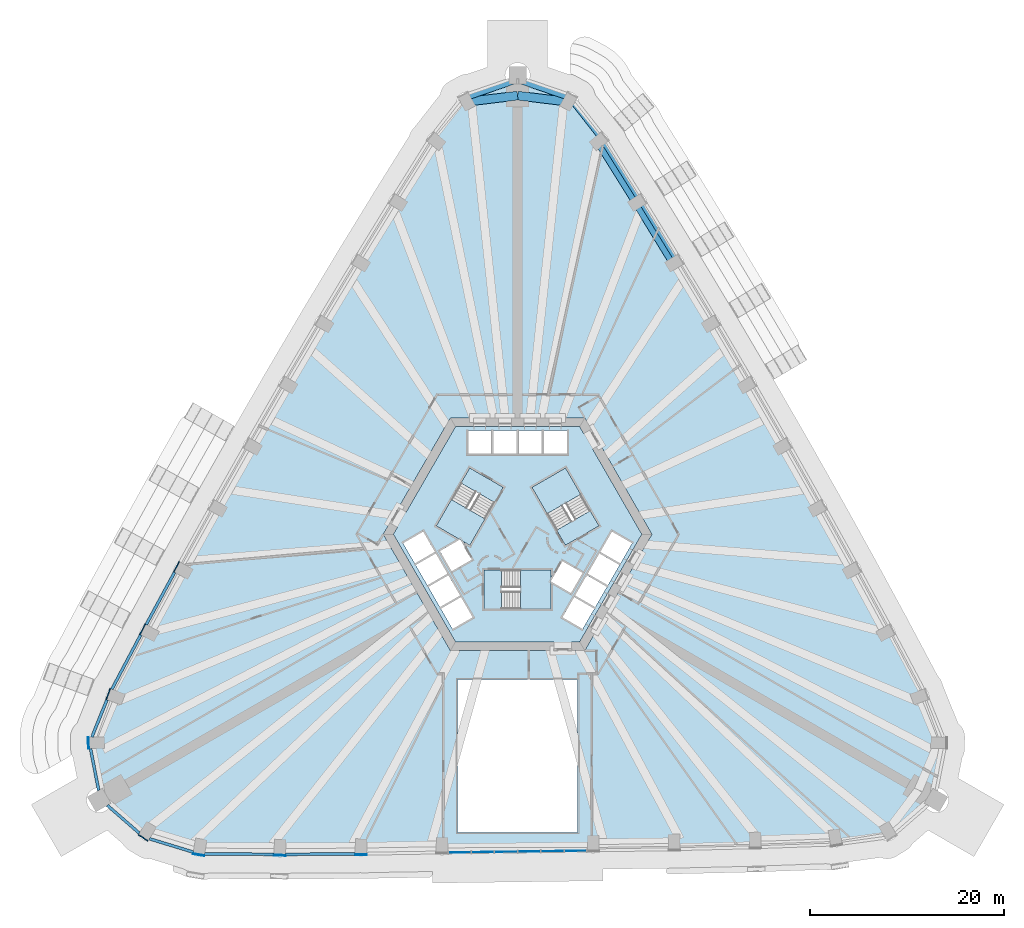
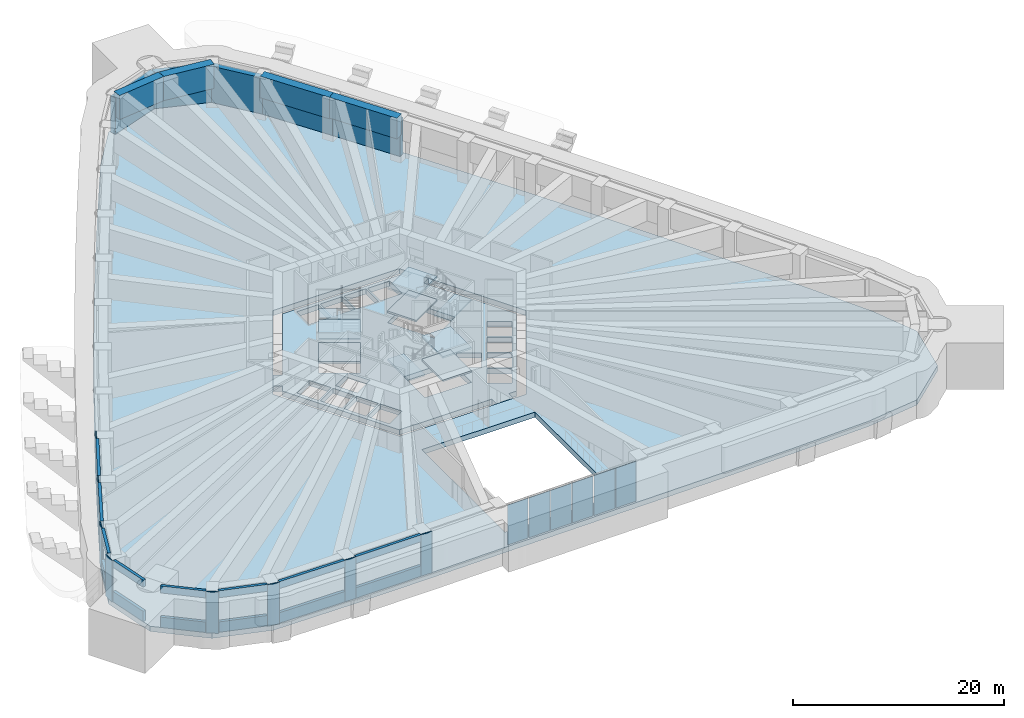
# One storey, part 4 of 21: 24 walls, 11 slabs, 6 plates, 5 members, 4 beams, 4 elements without a shape of their own.
"""IFC4 building model written with IfcOpenShell, lengths in metres."""

from ifc_helpers import new_model, si_unit, direction, frame, frame_2d, origin, origin_2d, place, context, subcontext, project, spatial, polyline, rectangle, outline, extrude, material, layer, layer_set, material_profile, profile_set, type_object, element, aggregate, save


model = new_model("IFC4")

# Units and contexts
model_context = context("Model", 3, precision=1e-05, world=origin(), true_north=direction((0.0, 1.0)))
body_context = subcontext(model_context, "Body", "Model", "MODEL_VIEW")
ifc_project = project(units=[si_unit("LENGTHUNIT", "METRE"), si_unit("AREAUNIT", "SQUARE_METRE"), si_unit("VOLUMEUNIT", "CUBIC_METRE"), si_unit("PLANEANGLEUNIT", "RADIAN"), si_unit("MASSUNIT", "GRAM", prefix="KILO")], contexts=[model_context])

# Site, building, storey
site_placement = place(None, origin())
site = spatial("IfcSite", under=ifc_project, at=site_placement, CompositionType="ELEMENT")
building_placement = place(site_placement, origin())
building = spatial("IfcBuilding", under=site, at=building_placement, Name="Entoto Arch Interchange Tower", CompositionType="ELEMENT")
storey_placement = place(building_placement, frame((0.0, 0.0, 81.199951171875)))
storey = spatial("IfcBuildingStorey", under=building, at=storey_placement, Name="L17", CompositionType="ELEMENT", Elevation=81.199951171875)

# Members
ifc_material_1 = material(Name="Concrete C60/75", Category="concrete")
ifc_material_profile_1 = material_profile(ifc_material_1, rectangle(XDim=0.60009765625, YDim=4.199951171875, at=origin_2d()))
ifc_profile_set_1 = profile_set([ifc_material_profile_1], Name="Concrete C60/75")
member_type = type_object("IfcMemberType", Name="Belt member RC 600x4200 C60/75", PredefinedType="USERDEFINED", material=ifc_profile_set_1)
member_1_placement = place(storey_placement, frame((16.51806640625, 30.695068359375, 2.10009765625), z_axis=(-0.522699488876, 0.852517005302, 0.0), x_axis=(-0.852517005302, -0.522699488876, 0.0)))
element("IfcMember", 1, at=member_1_placement, inside=storey, type_object=member_type, Name="Belt beam 19 L17", ObjectType="BELT BEAM", PredefinedType="USERDEFINED", context=body_context, shape_type="SweptSolid", body=[
    extrude(rectangle(XDim=0.60009765625, YDim=4.199951171875, at=origin_2d()), origin(), (0.0, 0.0, 1.0), 7.331298828125),
])
member_2_placement = place(storey_placement, frame((12.68603515625, 36.945068359375, 2.10009765625), z_axis=(-0.530519709105, 0.847672600861, 0.0), x_axis=(-0.847672600861, -0.530519709105, 0.0)))
element("IfcMember", 2, at=member_2_placement, inside=storey, type_object=member_type, Name="Belt beam 20 L17", ObjectType="BELT BEAM", PredefinedType="USERDEFINED", context=body_context, shape_type="SweptSolid", body=[
    extrude(rectangle(XDim=0.60009765625, YDim=4.199951171875, at=origin_2d()), origin(), (0.0, 0.0, 1.0), 7.54150390625),
])
member_3_placement = place(storey_placement, frame((8.68505859375, 43.337890625, 2.10009765625), z_axis=(-0.616408582391, 0.787426478825, 0.0), x_axis=(-0.787426478825, -0.616408582391, 0.0)))
element("IfcMember", 3, at=member_3_placement, inside=storey, type_object=member_type, Name="Belt beam 21 L17", ObjectType="BELT BEAM", PredefinedType="USERDEFINED", context=body_context, shape_type="SweptSolid", body=[
    extrude(rectangle(XDim=0.60009765625, YDim=4.199951171875, at=origin_2d()), origin(), (0.0, 0.0, 1.0), 5.31494140625),
])
for number, where, z_axis, x_axis, name in (
    (4, (5.408935546875, 47.52294921875, 2.10009765625), (-0.945749327237, 0.324897229953, 0.0), (-0.324897229953, -0.945749327237, 0.0), "Belt beam 22 L17"),
    (5, (0.0, 49.381103515625, 2.10009765625), (-0.945749327237, -0.324897229953, 0.0), (0.324897229953, -0.945749327237, 0.0), "Belt beam 23 L17"),
):
    element("IfcMember", number, at=place(storey_placement, frame(where, z_axis=z_axis, x_axis=x_axis)), inside=storey, type_object=member_type, Name=name, ObjectType="BELT BEAM", PredefinedType="USERDEFINED", context=body_context, shape_type="SweptSolid", body=[
        extrude(rectangle(XDim=0.60009765625, YDim=4.199951171875, at=origin_2d()), origin(), (0.0, 0.0, 1.0), 5.71923828125),
    ])

# Beams
ifc_material_profile_2 = material_profile(ifc_material_1, rectangle(XDim=0.89990234375, YDim=2.39990234375, at=origin_2d()))
ifc_profile_set_2 = profile_set([ifc_material_profile_2], Name="Concrete C60/75")
beam_type_1 = type_object("IfcBeamType", Name="Transfer beam RC 900x2400 C60/75", PredefinedType="BEAM", material=ifc_profile_set_2)
beam_1_placement = place(storey_placement, frame((16.1298828125, 30.45703125, 3.60009765625), z_axis=(-0.522696476147, 0.852518852474, 0.0), x_axis=(-0.852518852474, -0.522696476147, 0.0)))
element("IfcBeam", 6, at=beam_1_placement, inside=storey, type_object=beam_type_1, Name="Transfer girder NE08 L17", PredefinedType="BEAM", context=body_context, shape_type="SweptSolid", body=[
    extrude(rectangle(XDim=0.89990234375, YDim=2.39990234375, at=origin_2d()), origin(), (0.0, 0.0, 1.0), 7.3251953125),
])
ifc_material_profile_3 = material_profile(ifc_material_1, rectangle(XDim=0.89990234375, YDim=2.5, at=origin_2d()))
ifc_profile_set_3 = profile_set([ifc_material_profile_3], Name="Concrete C60/75")
beam_type_2 = type_object("IfcBeamType", Name="Transfer beam RC 900x2500 C60/75", PredefinedType="BEAM", material=ifc_profile_set_3)
beam_2_placement = place(storey_placement, frame((12.301025390625, 36.701904296875, 3.550048828125), z_axis=(-0.529542169184, 0.848283614752, 0.0), x_axis=(-0.848283614752, -0.529542169184, 0.0)))
element("IfcBeam", 7, at=beam_2_placement, inside=storey, type_object=beam_type_2, Name="Transfer girder NE09 L17", PredefinedType="BEAM", context=body_context, shape_type="SweptSolid", body=[
    extrude(rectangle(XDim=0.89990234375, YDim=2.5, at=origin_2d()), origin(), (0.0, 0.0, 1.0), 7.447998046875),
])
ifc_material_profile_4 = material_profile(ifc_material_1, rectangle(XDim=0.89990234375, YDim=2.800048828125, at=origin_2d()))
ifc_profile_set_4 = profile_set([ifc_material_profile_4], Name="Concrete C60/75")
beam_type_3 = type_object("IfcBeamType", Name="Transfer beam RC 900x2800 C60/75", PredefinedType="BEAM", material=ifc_profile_set_4)
for number, where, z_axis, x_axis, name in (
    (8, (5.24609375, 47.112060546875, 3.400146484375), (-0.992643034077, 0.121077689516, 0.0), (-0.121077689516, -0.992643034077, 0.0), "Transfer girder N1 L17"),
    (9, (0.0, 47.751953125, 3.400146484375), (-0.992643034077, -0.121077689516, 0.0), (0.121077689516, -0.992643034077, 0.0), "Transfer girder N3 L17"),
):
    element("IfcBeam", number, at=place(storey_placement, frame(where, z_axis=z_axis, x_axis=x_axis)), inside=storey, type_object=beam_type_3, Name=name, PredefinedType="BEAM", context=body_context, shape_type="SweptSolid", body=[
        extrude(rectangle(XDim=0.89990234375, YDim=2.800048828125, at=origin_2d()), origin(), (0.0, 0.0, 1.0), 5.284912109375),
    ])

# Slab
ifc_material_2 = material(Name="Concrete C40/50", Category="concrete")
ifc_layer_1 = layer(ifc_material_2, 0.60009765625)
ifc_layer_set_1 = layer_set([ifc_layer_1], Name="Concrete C40/50")
slab_type_1 = type_object("IfcSlabType", Name="Core floor slab 600 C40/50", PredefinedType="FLOOR", material=ifc_layer_set_1)
slab_1_placement = place(storey_placement, frame((0.0, 0.0, -0.599853515625)))
element("IfcSlab", 10, at=slab_1_placement, inside=storey, type_object=slab_type_1, Name="Core floor slab L17", PredefinedType="FLOOR", context=body_context, shape_type="SweptSolid", body=[
    extrude(outline(polyline([(5.580078125, -9.5), (3.75, -9.5), (3.75, -8.60009765625), (-6.408935546875, -8.60009765625), (-12.81689453125, 2.5), (-12.403076171875, 3.217041015625), (-13.181884765625, 3.66796875), (-12.26806640625, 5.251953125), (-11.488037109375, 4.802001953125), (-6.408935546875, 13.60009765625), (6.408935546875, 13.60009765625), (6.822998046875, 12.882080078125), (7.60302734375, 13.33203125), (8.51806640625, 11.748046875), (7.738037109375, 11.298095703125), (12.81689453125, 2.5), (6.408935546875, -8.60009765625), (5.580078125, -8.60009765625), (5.580078125, -9.5)]), holes=[polyline([(-4.637939453125, -6.06689453125), (-5.837890625, -3.988037109375), (-7.916015625, -5.18798828125), (-6.716064453125, -7.26708984375), (-4.637939453125, -6.06689453125)]), polyline([(-5.93798828125, -3.81494140625), (-7.137939453125, -1.737060546875), (-9.216064453125, -2.93701171875), (-8.01611328125, -5.014892578125), (-5.93798828125, -3.81494140625)]), polyline([(5.5048828125, -3.56494140625), (6.705078125, -1.487060546875), (4.626953125, -0.287109375), (3.449951171875, -2.324951171875), (3.449951171875, -1.199951171875), (-1.64990234375, -1.199951171875), (-1.64990234375, -5.199951171875), (3.449951171875, -5.199951171875), (3.449951171875, -2.3779296875), (5.5048828125, -3.56494140625)]), polyline([(-7.238037109375, -1.56298828125), (-8.43798828125, 0.514892578125), (-10.51611328125, -0.68505859375), (-9.31591796875, -2.762939453125), (-7.238037109375, -1.56298828125)]), polyline([(-4.72705078125, -0.113037109375), (-5.904052734375, 1.925048828125), (-4.928955078125, 1.362060546875), (-2.37890625, 5.779052734375), (-5.843017578125, 7.779052734375), (-8.39306640625, 3.362060546875), (-5.949951171875, 1.951904296875), (-8.0048828125, 0.764892578125), (-6.804931640625, -1.31298828125), (-4.72705078125, -0.113037109375)]), polyline([(-8.5380859375, 0.68798828125), (-9.738037109375, 2.76708984375), (-11.81591796875, 1.56689453125), (-10.615966796875, -0.511962890625), (-8.5380859375, 0.68798828125)]), polyline([(-5.10009765625, 10.800048828125), (-2.699951171875, 10.800048828125), (-2.699951171875, 13.199951171875), (-5.10009765625, 13.199951171875), (-5.10009765625, 10.800048828125)]), polyline([(-2.5, 10.800048828125), (-0.10009765625, 10.800048828125), (-0.10009765625, 13.199951171875), (-2.5, 13.199951171875), (-2.5, 10.800048828125)]), polyline([(5.837890625, -3.988037109375), (4.637939453125, -6.06689453125), (6.716064453125, -7.26708984375), (7.916015625, -5.18798828125), (5.837890625, -3.988037109375)]), polyline([(7.137939453125, -1.737060546875), (5.93798828125, -3.81494140625), (8.01611328125, -5.014892578125), (9.216064453125, -2.93701171875), (7.137939453125, -1.737060546875)]), polyline([(8.43798828125, 0.514892578125), (7.238037109375, -1.56298828125), (9.31591796875, -2.762939453125), (10.51611328125, -0.68505859375), (8.43798828125, 0.514892578125)]), polyline([(9.738037109375, 2.76708984375), (8.5380859375, 0.68798828125), (10.615966796875, -0.511962890625), (11.81591796875, 1.56689453125), (9.738037109375, 2.76708984375)]), polyline([(4.029052734375, 2.9208984375), (7.492919921875, 4.9208984375), (4.943115234375, 9.337890625), (1.47900390625, 7.337890625), (4.029052734375, 2.9208984375)]), polyline([(0.10009765625, 13.199951171875), (0.10009765625, 10.800048828125), (2.5, 10.800048828125), (2.5, 13.199951171875), (0.10009765625, 13.199951171875)]), polyline([(2.699951171875, 13.199951171875), (2.699951171875, 10.800048828125), (5.10009765625, 10.800048828125), (5.10009765625, 13.199951171875), (2.699951171875, 13.199951171875)])]), origin(), (0.0, 0.0, 1.0), 0.599853515625),
])

# Stair, slabs
stair_type = type_object("IfcStairType", Name="EXIT STAIR RC 1800", PredefinedType="HALF_TURN_STAIR", material=ifc_material_2)
stair_1_placement = place(storey_placement, origin())
stair_1 = element("IfcStair", 11, at=stair_1_placement, inside=storey, type_object=stair_type, Name="L17 Exit stair S", PredefinedType="HALF_TURN_STAIR")
ifc_layer_2 = layer(ifc_material_2, 0.199951171875)
ifc_layer_set_2 = layer_set([ifc_layer_2], Name="Concrete C40/50")
slab_type_2 = type_object("IfcSlabType", Name="EXIT STAIR LANDING RC 200", PredefinedType="LANDING", material=ifc_layer_set_2)
slab_2_placement = place(storey_placement, frame((0.0, 0.0, 1.150146484375)))
slab_2 = element("IfcSlab", 12, at=slab_2_placement, type_object=slab_type_2, Name="ST-S landing 1", PredefinedType="LANDING", context=body_context, shape_type="SweptSolid", body=[
    extrude(outline(polyline([(0.31005859375, -5.199951171875), (3.449951171875, -5.199951171875), (3.449951171875, -1.199951171875), (0.31005859375, -1.199951171875), (0.31005859375, -5.199951171875)])), origin(), (0.0, 0.0, 1.0), 0.199951171875),
])
slab_3_placement = place(storey_placement, frame((0.0, 0.0, 2.5)))
slab_3 = element("IfcSlab", 13, at=slab_3_placement, type_object=slab_type_2, Name="ST-S landing 2", PredefinedType="LANDING", context=body_context, shape_type="SweptSolid", body=[
    extrude(outline(polyline([(-3.449951171875, -5.199951171875), (-1.64990234375, -5.199951171875), (-1.64990234375, -1.199951171875), (-3.449951171875, -1.199951171875), (-3.449951171875, -5.199951171875)])), origin(), (0.0, 0.0, 1.0), 0.199951171875),
])
slab_4_placement = place(storey_placement, frame((0.0, 0.0, 3.85009765625)))
slab_4 = element("IfcSlab", 14, at=slab_4_placement, type_object=slab_type_2, Name="ST-S landing 3", PredefinedType="LANDING", context=body_context, shape_type="SweptSolid", body=[
    extrude(outline(polyline([(0.31005859375, -5.199951171875), (3.449951171875, -5.199951171875), (3.449951171875, -1.199951171875), (0.31005859375, -1.199951171875), (0.31005859375, -5.199951171875)])), origin(), (0.0, 0.0, 1.0), 0.199951171875),
])
aggregate(stair_1, [slab_2, slab_3, slab_4])

stair_2_placement = place(storey_placement, origin())
stair_2 = element("IfcStair", 15, at=stair_2_placement, inside=storey, type_object=stair_type, Name="L17 Exit stair NE", PredefinedType="HALF_TURN_STAIR")
slab_5_placement = place(storey_placement, frame((0.0, 0.0, 1.150146484375)))
slab_5 = element("IfcSlab", 16, at=slab_5_placement, type_object=slab_type_2, Name="ST-NE landing 1", PredefinedType="LANDING", context=body_context, shape_type="SweptSolid", body=[
    extrude(outline(polyline([(6.513427734375, 6.618408203125), (4.943359375, 9.337890625), (1.479248046875, 7.337890625), (3.04931640625, 4.618408203125), (6.513427734375, 6.618408203125)])), origin(), (0.0, 0.0, 1.0), 0.199951171875),
])
slab_6_placement = place(storey_placement, frame((0.0, 0.0, 2.5)))
slab_6 = element("IfcSlab", 17, at=slab_6_placement, type_object=slab_type_2, Name="ST-NE landing 2", PredefinedType="LANDING", context=body_context, shape_type="SweptSolid", body=[
    extrude(outline(polyline([(8.393310546875, 3.3623046875), (7.493408203125, 4.921142578125), (4.029296875, 2.921142578125), (4.92919921875, 1.3623046875), (8.393310546875, 3.3623046875)])), origin(), (0.0, 0.0, 1.0), 0.199951171875),
])
slab_7_placement = place(storey_placement, frame((0.0, 0.0, 3.85009765625)))
slab_7 = element("IfcSlab", 18, at=slab_7_placement, type_object=slab_type_2, Name="ST-NE landing 3", PredefinedType="LANDING", context=body_context, shape_type="SweptSolid", body=[
    extrude(outline(polyline([(6.513427734375, 6.618408203125), (4.943359375, 9.337890625), (1.479248046875, 7.337890625), (3.04931640625, 4.618408203125), (6.513427734375, 6.618408203125)])), origin(), (0.0, 0.0, 1.0), 0.199951171875),
])
aggregate(stair_2, [slab_5, slab_6, slab_7])

stair_3_placement = place(storey_placement, origin())
stair_3 = element("IfcStair", 19, at=stair_3_placement, inside=storey, type_object=stair_type, Name="L17 Exit stair NW", PredefinedType="HALF_TURN_STAIR")
slab_8_placement = place(storey_placement, frame((0.0, 0.0, 1.150146484375)))
slab_8 = element("IfcSlab", 20, at=slab_8_placement, type_object=slab_type_2, Name="ST-NW landing 1", PredefinedType="LANDING", context=body_context, shape_type="SweptSolid", body=[
    extrude(outline(polyline([(-6.823486328125, 6.08154296875), (-8.393310546875, 3.3623046875), (-4.92919921875, 1.3623046875), (-3.359375, 4.08154296875), (-6.823486328125, 6.08154296875)])), origin(), (0.0, 0.0, 1.0), 0.199951171875),
])
slab_9_placement = place(storey_placement, frame((0.0, 0.0, 2.5)))
slab_9 = element("IfcSlab", 21, at=slab_9_placement, type_object=slab_type_2, Name="ST-NW landing 2", PredefinedType="LANDING", context=body_context, shape_type="SweptSolid", body=[
    extrude(outline(polyline([(-4.943359375, 9.337890625), (-5.843505859375, 7.779052734375), (-2.37939453125, 5.779052734375), (-1.479248046875, 7.337890625), (-4.943359375, 9.337890625)])), origin(), (0.0, 0.0, 1.0), 0.199951171875),
])
slab_10_placement = place(storey_placement, frame((0.0, 0.0, 3.85009765625)))
slab_10 = element("IfcSlab", 22, at=slab_10_placement, type_object=slab_type_2, Name="ST-NW landing 3", PredefinedType="LANDING", context=body_context, shape_type="SweptSolid", body=[
    extrude(outline(polyline([(-6.823486328125, 6.08154296875), (-8.393310546875, 3.3623046875), (-4.92919921875, 1.3623046875), (-3.359375, 4.08154296875), (-6.823486328125, 6.08154296875)])), origin(), (0.0, 0.0, 1.0), 0.199951171875),
])
aggregate(stair_3, [slab_8, slab_9, slab_10])

# Curtain wall, plates
ifc_material_3 = material(Name="Aluminium, anodised", Category="aluminium")
curtain_wall_type = type_object("IfcCurtainWallType", Name="CURTAIN WALL ATRIUM", PredefinedType="NOTDEFINED", material=ifc_material_3)
curtain_wall_placement = place(storey_placement, origin())
curtain_wall = element("IfcCurtainWall", 23, at=curtain_wall_placement, inside=storey, type_object=curtain_wall_type, Name="Atrium glazing S-04 L17", PredefinedType="NOTDEFINED")
ifc_material_4 = material(Name="Clear glass, low-e double glazed", Category="glass")
ifc_layer_3 = layer(ifc_material_4, 0.031982421875)
ifc_layer_set_3 = layer_set([ifc_layer_3], Name="Clear glass, low-e double glazed")
plate_type = type_object("IfcPlateType", Name="GLAZING PANEL ATRIUM 32", PredefinedType="CURTAIN_PANEL", material=ifc_layer_set_3)
plate_1_placement = place(storey_placement, frame((-5.973388671875, -30.323486328125, 0.080078125), z_axis=(0.0, 0.0, 1.0), x_axis=(0.999909211542, 0.013474742091, 0.0)))
plate_1 = element("IfcPlate", 24, at=plate_1_placement, type_object=plate_type, Name="CWA panel 1.1", PredefinedType="CURTAIN_PANEL", context=body_context, shape_type="SweptSolid", body=[
    extrude(rectangle(XDim=2.24951171875, YDim=0.031982421875, at=origin_2d()), origin(), (0.0, 0.0, 1.0), 4.639892578125),
])
plate_2_placement = place(storey_placement, frame((-3.59912109375, -30.29150390625, 0.080078125), z_axis=(0.0, 0.0, 1.0), x_axis=(0.999909211542, 0.013474742091, 0.0)))
plate_2 = element("IfcPlate", 25, at=plate_2_placement, type_object=plate_type, Name="CWA panel 2.1", PredefinedType="CURTAIN_PANEL", context=body_context, shape_type="SweptSolid", body=[
    extrude(rectangle(XDim=2.299560546875, YDim=0.031982421875, at=origin_2d()), origin(), (0.0, 0.0, 1.0), 4.639892578125),
])
plate_3_placement = place(storey_placement, frame((-1.19970703125, -30.25927734375, 0.080078125), z_axis=(0.0, 0.0, 1.0), x_axis=(0.999909211542, 0.013474742091, 0.0)))
plate_3 = element("IfcPlate", 26, at=plate_3_placement, type_object=plate_type, Name="CWA panel 3.1", PredefinedType="CURTAIN_PANEL", context=body_context, shape_type="SweptSolid", body=[
    extrude(rectangle(XDim=2.299560546875, YDim=0.031982421875, at=origin_2d()), origin(), (0.0, 0.0, 1.0), 4.639892578125),
])
plate_4_placement = place(storey_placement, frame((1.19970703125, -30.226806640625, 0.080078125), z_axis=(0.0, 0.0, 1.0), x_axis=(0.999909211542, 0.013474742091, 0.0)))
plate_4 = element("IfcPlate", 27, at=plate_4_placement, type_object=plate_type, Name="CWA panel 4.1", PredefinedType="CURTAIN_PANEL", context=body_context, shape_type="SweptSolid", body=[
    extrude(rectangle(XDim=2.299560546875, YDim=0.031982421875, at=origin_2d()), origin(), (0.0, 0.0, 1.0), 4.639892578125),
])
plate_5_placement = place(storey_placement, frame((3.59912109375, -30.194580078125, 0.080078125), z_axis=(0.0, 0.0, 1.0), x_axis=(0.999909211542, 0.013474742091, 0.0)))
plate_5 = element("IfcPlate", 28, at=plate_5_placement, type_object=plate_type, Name="CWA panel 5.1", PredefinedType="CURTAIN_PANEL", context=body_context, shape_type="SweptSolid", body=[
    extrude(rectangle(XDim=2.299560546875, YDim=0.031982421875, at=origin_2d()), origin(), (0.0, 0.0, 1.0), 4.639892578125),
])
plate_6_placement = place(storey_placement, frame((5.973388671875, -30.16259765625, 0.080078125), z_axis=(0.0, 0.0, 1.0), x_axis=(0.999909211542, 0.013474742091, 0.0)))
plate_6 = element("IfcPlate", 29, at=plate_6_placement, type_object=plate_type, Name="CWA panel 6.1", PredefinedType="CURTAIN_PANEL", context=body_context, shape_type="SweptSolid", body=[
    extrude(rectangle(XDim=2.24951171875, YDim=0.031982421875, at=origin_2d()), origin(), (0.0, 0.0, 1.0), 4.639892578125),
])
aggregate(curtain_wall, [plate_1, plate_2, plate_3, plate_4, plate_5, plate_6])

# Slab
ifc_layer_4 = layer(ifc_material_2, 0.60009765625)
ifc_layer_set_4 = layer_set([ifc_layer_4], Name="Concrete C40/50")
slab_type_3 = type_object("IfcSlabType", Name="Transfer floor slab post-tensioned 600 C40/50", PredefinedType="FLOOR", material=ifc_layer_set_4)
slab_11_placement = place(storey_placement, frame((0.0, 0.0, -0.599853515625)))
element("IfcSlab", 30, at=slab_11_placement, inside=storey, type_object=slab_type_3, Name="Floor slab L17", PredefinedType="FLOOR", context=body_context, shape_type="SweptSolid", body=[
    extrude(outline(polyline([(-32.910888671875, -30.614990234375), (-24.5400390625, -30.678955078125), (-16.169921875, -30.618896484375), (-7.800048828125, -30.472900390625), (7.800048828125, -30.262939453125), (16.169921875, -30.14306640625), (24.5400390625, -29.93701171875), (32.910888671875, -29.64697265625), (38.64404296875, -28.867919921875), (43.173095703125, -24.926025390625), (44.322021484375, -19.033935546875), (42.279052734375, -13.9599609375), (38.72900390625, -7.27490234375), (35.23193359375, -0.827880859375), (31.677978515625, 5.5859375), (28.06689453125, 11.969970703125), (24.39990234375, 18.321044921875), (20.677001953125, 24.64111328125), (16.89794921875, 30.926025390625), (13.06396484375, 37.178955078125), (9.050048828125, 43.593994140625), (5.677978515625, 47.90087890625), (0.0, 49.85205078125), (-5.677978515625, 47.90087890625), (-9.050048828125, 43.593994140625), (-13.06396484375, 37.178955078125), (-16.89794921875, 30.926025390625), (-20.677001953125, 24.64111328125), (-24.39990234375, 18.321044921875), (-28.06689453125, 11.969970703125), (-31.677978515625, 5.5859375), (-35.23193359375, -0.827880859375), (-38.72900390625, -7.27490234375), (-42.279052734375, -13.9599609375), (-44.322021484375, -19.033935546875), (-43.173095703125, -24.926025390625), (-38.64404296875, -28.867919921875), (-32.910888671875, -30.614990234375)]), holes=[polyline([(6.199951171875, -28.262939453125), (6.199951171875, -12.5), (-6.199951171875, -12.5), (-6.199951171875, -28.262939453125), (6.199951171875, -28.262939453125)]), polyline([(13.85595703125, 2.5), (6.927978515625, 14.5), (-6.927978515625, 14.5), (-13.85595703125, 2.5), (-6.927978515625, -9.5), (6.927978515625, -9.5), (13.85595703125, 2.5)])]), origin(), (0.0, 0.0, 1.0), 0.599853515625),
])

# Walls
ifc_material_5 = material(Name="Board-marked precast concrete C50/60", Category="concrete")
ifc_layer_5 = layer(ifc_material_5, 0.10009765625)
ifc_layer_set_5 = layer_set([ifc_layer_5], Name="Board-marked precast concrete C50/60")
wall_type_1 = type_object("IfcWallType", Name="PRECAST FRAME WALL 100", PredefinedType="STANDARD", material=ifc_layer_set_5)
wall_1_placement = place(storey_placement, frame((-34.90087890625, -0.324951171875, 0.0), z_axis=(0.0, 0.0, 1.0), x_axis=(-0.478424520456, -0.878128679765, 0.0)))
element("IfcWall", 31, at=wall_1_placement, inside=storey, type_object=wall_type_1, Name="Frame pier NW08 L17", PredefinedType="STANDARD", context=body_context, shape_type="SweptSolid", body=[
    extrude(rectangle(XDim=1.2001953125, YDim=0.10009765625, at=frame_2d((0.60009765625, 0.0))), origin(), (0.0, 0.0, 1.0), 4.800048828125),
])
wall_2_placement = place(storey_placement, frame((-38.403076171875, -6.76904296875, 0.0), z_axis=(0.0, 0.0, 1.0), x_axis=(-0.469467784567, -0.882949601763, 0.0)))
element("IfcWall", 32, at=wall_2_placement, inside=storey, type_object=wall_type_1, Name="Frame pier NW09 L17", PredefinedType="STANDARD", context=body_context, shape_type="SweptSolid", body=[
    extrude(rectangle(XDim=1.19921875, YDim=0.10009765625, at=frame_2d((0.599609375, 0.0))), origin(), (0.0, 0.0, 1.0), 4.800048828125),
])
wall_3_placement = place(storey_placement, frame((-42.02294921875, -13.4150390625, 0.0), z_axis=(0.0, 0.0, 1.0), x_axis=(-0.348268249601, -0.937394914814, 0.0)))
element("IfcWall", 33, at=wall_3_placement, inside=storey, type_object=wall_type_1, Name="Frame pier NW10 L17", PredefinedType="STANDARD", context=body_context, shape_type="SweptSolid", body=[
    extrude(rectangle(XDim=1.2001953125, YDim=0.10009765625, at=frame_2d((0.60009765625, 0.0))), origin(), (0.0, 0.0, 1.0), 4.800048828125),
])
for number, where, z_axis, x_axis, name in (
    (34, (-33.493896484375, -30.466064453125, 0.0), (0.0, 0.0, 1.0), (0.986011774526, -0.166675674579, 0.0), "Frame pier S01 L17"),
    (35, (-25.137939453125, -30.60888671875, 0.0), (0.0, 0.0, 1.0), (0.999442872267, -0.03337581573, 0.0), "Frame pier S02 L17"),
):
    element("IfcWall", number, at=place(storey_placement, frame(where, z_axis=z_axis, x_axis=x_axis)), inside=storey, type_object=wall_type_1, Name=name, PredefinedType="STANDARD", context=body_context, shape_type="SweptSolid", body=[
        extrude(rectangle(XDim=1.19970703125, YDim=0.10009765625, at=frame_2d((0.599853515625, 0.0))), origin(), (0.0, 0.0, 1.0), 4.800048828125),
    ])
for number, where, z_axis, x_axis, name in (
    (36, (-16.76904296875, -30.555908203125, 0.0), (0.0, 0.0, 1.0), (0.999763115755, -0.021764934565, 0.0), "Frame pier S03 L17"),
    (37, (-44.285888671875, -18.43310546875, 0.0), (0.0, 0.0, 1.0), (0.023188066684, -0.999731120634, 0.0), "Frame pier SW1 L17"),
):
    element("IfcWall", number, at=place(storey_placement, frame(where, z_axis=z_axis, x_axis=x_axis)), inside=storey, type_object=wall_type_1, Name=name, PredefinedType="STANDARD", context=body_context, shape_type="SweptSolid", body=[
        extrude(rectangle(XDim=1.2001953125, YDim=0.10009765625, at=frame_2d((0.60009765625, 0.0))), origin(), (0.0, 0.0, 1.0), 4.800048828125),
    ])
wall_4_placement = place(storey_placement, frame((-39.131103515625, -28.513916015625, 0.0), z_axis=(0.0, 0.0, 1.0), x_axis=(0.854771404281, -0.51900466898, 0.0)))
element("IfcWall", 38, at=wall_4_placement, inside=storey, type_object=wall_type_1, Name="Frame pier SW3 L17", PredefinedType="STANDARD", context=body_context, shape_type="SweptSolid", body=[
    extrude(rectangle(XDim=1.200439453125, YDim=0.10009765625, at=frame_2d((0.60009765625, 0.0))), origin(), (0.0, 0.0, 1.0), 4.800048828125),
])
ifc_layer_6 = layer(ifc_material_5, 0.300048828125)
ifc_layer_set_6 = layer_set([ifc_layer_6], Name="Board-marked precast concrete C50/60")
wall_type_2 = type_object("IfcWallType", Name="PRECAST FRAME WALL 300", PredefinedType="STANDARD", material=ifc_layer_set_6)
wall_5_placement = place(storey_placement, frame((-32.279052734375, -30.469970703125, 0.0), z_axis=(0.0, 0.0, 1.0), x_axis=(0.999971489211, -0.007551209565, 0.0)))
element("IfcWall", 39, at=wall_5_placement, inside=storey, type_object=wall_type_2, Name="Frame sill wall S-01 L17", PredefinedType="STANDARD", context=body_context, shape_type="SweptSolid", body=[
    extrude(rectangle(XDim=7.145263671875, YDim=0.300048828125, at=frame_2d((3.57275390625, 0.0))), origin(), (0.0, 0.0, 1.0), 1.199951171875),
])
wall_6_placement = place(storey_placement, frame((-32.279052734375, -30.469970703125, 4.0), z_axis=(0.0, 0.0, 1.0), x_axis=(0.999971489211, -0.007551209565, 0.0)))
element("IfcWall", 40, at=wall_6_placement, inside=storey, type_object=wall_type_2, Name="Frame head wall S-01 L17", PredefinedType="STANDARD", context=body_context, shape_type="SweptSolid", body=[
    extrude(rectangle(XDim=7.145263671875, YDim=0.300048828125, at=frame_2d((3.57275390625, 0.0))), origin(), (0.0, 0.0, 1.0), 0.800048828125),
])
wall_7_placement = place(storey_placement, frame((-23.93505859375, -30.52490234375, 0.0), z_axis=(0.0, 0.0, 1.0), x_axis=(0.999973692375, 0.007253589309, 0.0)))
element("IfcWall", 41, at=wall_7_placement, inside=storey, type_object=wall_type_2, Name="Frame sill wall S-02 L17", PredefinedType="STANDARD", context=body_context, shape_type="SweptSolid", body=[
    extrude(rectangle(XDim=7.169189453125, YDim=0.300048828125, at=frame_2d((3.58447265625, 0.0))), origin(), (0.0, 0.0, 1.0), 1.199951171875),
])
wall_8_placement = place(storey_placement, frame((-23.93505859375, -30.52490234375, 4.0), z_axis=(0.0, 0.0, 1.0), x_axis=(0.999973692375, 0.007253589309, 0.0)))
element("IfcWall", 42, at=wall_8_placement, inside=storey, type_object=wall_type_2, Name="Frame head wall S-02 L17", PredefinedType="STANDARD", context=body_context, shape_type="SweptSolid", body=[
    extrude(rectangle(XDim=7.169189453125, YDim=0.300048828125, at=frame_2d((3.58447265625, 0.0))), origin(), (0.0, 0.0, 1.0), 0.800048828125),
])
wall_9_placement = place(storey_placement, frame((-35.385986328125, -1.426025390625, 0.0), z_axis=(0.0, 0.0, 1.0), x_axis=(-0.476762519224, -0.879032138356, 0.0)))
element("IfcWall", 43, at=wall_9_placement, inside=storey, type_object=wall_type_2, Name="Frame sill wall NW-08 L17", PredefinedType="STANDARD", context=body_context, shape_type="SweptSolid", body=[
    extrude(rectangle(XDim=6.13525390625, YDim=0.300048828125, at=frame_2d((3.067626953125, 0.0))), origin(), (0.0, 0.0, 1.0), 1.199951171875),
])
wall_10_placement = place(storey_placement, frame((-35.385986328125, -1.426025390625, 4.0), z_axis=(0.0, 0.0, 1.0), x_axis=(-0.476762519224, -0.879032138356, 0.0)))
element("IfcWall", 44, at=wall_10_placement, inside=storey, type_object=wall_type_2, Name="Frame head wall NW-08 L17", PredefinedType="STANDARD", context=body_context, shape_type="SweptSolid", body=[
    extrude(rectangle(XDim=6.13525390625, YDim=0.300048828125, at=frame_2d((3.067626953125, 0.0))), origin(), (0.0, 0.0, 1.0), 0.800048828125),
])
wall_11_placement = place(storey_placement, frame((-38.876953125, -7.8740234375, 0.0), z_axis=(0.0, 0.0, 1.0), x_axis=(-0.469082096551, -0.883154565575, 0.0)))
element("IfcWall", 45, at=wall_11_placement, inside=storey, type_object=wall_type_2, Name="Frame sill wall NW-09 L17", PredefinedType="STANDARD", context=body_context, shape_type="SweptSolid", body=[
    extrude(rectangle(XDim=6.346435546875, YDim=0.300048828125, at=frame_2d((3.17333984375, 0.0))), origin(), (0.0, 0.0, 1.0), 1.199951171875),
])
wall_12_placement = place(storey_placement, frame((-38.876953125, -7.8740234375, 4.0), z_axis=(0.0, 0.0, 1.0), x_axis=(-0.469082096551, -0.883154565575, 0.0)))
element("IfcWall", 46, at=wall_12_placement, inside=storey, type_object=wall_type_2, Name="Frame head wall NW-09 L17", PredefinedType="STANDARD", context=body_context, shape_type="SweptSolid", body=[
    extrude(rectangle(XDim=6.346435546875, YDim=0.300048828125, at=frame_2d((3.17333984375, 0.0))), origin(), (0.0, 0.0, 1.0), 0.800048828125),
])
wall_13_placement = place(storey_placement, frame((-42.362060546875, -14.568115234375, 0.0), z_axis=(0.0, 0.0, 1.0), x_axis=(-0.373424226069, -0.92766068548, 0.0)))
element("IfcWall", 47, at=wall_13_placement, inside=storey, type_object=wall_type_2, Name="Frame sill wall SW-01 L17", PredefinedType="STANDARD", context=body_context, shape_type="SweptSolid", body=[
    extrude(rectangle(XDim=4.15869140625, YDim=0.300048828125, at=frame_2d((2.079345703125, 0.0))), origin(), (0.0, 0.0, 1.0), 1.199951171875),
])
wall_14_placement = place(storey_placement, frame((-42.362060546875, -14.568115234375, 4.0), z_axis=(0.0, 0.0, 1.0), x_axis=(-0.373424226069, -0.92766068548, 0.0)))
element("IfcWall", 48, at=wall_14_placement, inside=storey, type_object=wall_type_2, Name="Frame head wall SW-01 L17", PredefinedType="STANDARD", context=body_context, shape_type="SweptSolid", body=[
    extrude(rectangle(XDim=4.15869140625, YDim=0.300048828125, at=frame_2d((2.079345703125, 0.0))), origin(), (0.0, 0.0, 1.0), 0.800048828125),
])
wall_15_placement = place(storey_placement, frame((-44.053955078125, -19.626953125, 0.0), z_axis=(0.0, 0.0, 1.0), x_axis=(0.191384281913, -0.981515184109, 0.0)))
element("IfcWall", 49, at=wall_15_placement, inside=storey, type_object=wall_type_2, Name="Frame sill wall SW-02 L17", PredefinedType="STANDARD", context=body_context, shape_type="SweptSolid", body=[
    extrude(rectangle(XDim=4.367919921875, YDim=0.300048828125, at=frame_2d((2.18408203125, 0.0))), origin(), (0.0, 0.0, 1.0), 1.199951171875),
])
wall_16_placement = place(storey_placement, frame((-44.053955078125, -19.626953125, 4.0), z_axis=(0.0, 0.0, 1.0), x_axis=(0.191384281913, -0.981515184109, 0.0)))
element("IfcWall", 50, at=wall_16_placement, inside=storey, type_object=wall_type_2, Name="Frame head wall SW-02 L17", PredefinedType="STANDARD", context=body_context, shape_type="SweptSolid", body=[
    extrude(rectangle(XDim=4.367919921875, YDim=0.300048828125, at=frame_2d((2.18408203125, 0.0))), origin(), (0.0, 0.0, 1.0), 0.800048828125),
])
wall_17_placement = place(storey_placement, frame((-42.319091796875, -25.470947265625, 0.0), z_axis=(0.0, 0.0, 1.0), x_axis=(0.754384139839, -0.656433217897, 0.0)))
element("IfcWall", 51, at=wall_17_placement, inside=storey, type_object=wall_type_2, Name="Frame sill wall SW-03 L17", PredefinedType="STANDARD", context=body_context, shape_type="SweptSolid", body=[
    extrude(rectangle(XDim=4.369384765625, YDim=0.300048828125, at=frame_2d((2.1845703125, 0.0))), origin(), (0.0, 0.0, 1.0), 1.199951171875),
])
wall_18_placement = place(storey_placement, frame((-42.319091796875, -25.470947265625, 4.0), z_axis=(0.0, 0.0, 1.0), x_axis=(0.754384139839, -0.656433217897, 0.0)))
element("IfcWall", 52, at=wall_18_placement, inside=storey, type_object=wall_type_2, Name="Frame head wall SW-03 L17", PredefinedType="STANDARD", context=body_context, shape_type="SweptSolid", body=[
    extrude(rectangle(XDim=4.369384765625, YDim=0.300048828125, at=frame_2d((2.1845703125, 0.0))), origin(), (0.0, 0.0, 1.0), 0.800048828125),
])
wall_19_placement = place(storey_placement, frame((-37.971923828125, -28.916015625, 0.0), z_axis=(0.0, 0.0, 1.0), x_axis=(0.956550822453, -0.291565642806, 0.0)))
element("IfcWall", 53, at=wall_19_placement, inside=storey, type_object=wall_type_2, Name="Frame sill wall SW-04 L17", PredefinedType="STANDARD", context=body_context, shape_type="SweptSolid", body=[
    extrude(rectangle(XDim=4.712646484375, YDim=0.300048828125, at=frame_2d((2.3564453125, 0.0))), origin(), (0.0, 0.0, 1.0), 1.199951171875),
])
wall_20_placement = place(storey_placement, frame((-37.971923828125, -28.916015625, 4.0), z_axis=(0.0, 0.0, 1.0), x_axis=(0.956550822453, -0.291565642806, 0.0)))
element("IfcWall", 54, at=wall_20_placement, inside=storey, type_object=wall_type_2, Name="Frame head wall SW-04 L17", PredefinedType="STANDARD", context=body_context, shape_type="SweptSolid", body=[
    extrude(rectangle(XDim=4.712646484375, YDim=0.300048828125, at=frame_2d((2.3564453125, 0.0))), origin(), (0.0, 0.0, 1.0), 0.800048828125),
])

save(model, "model.ifc")
